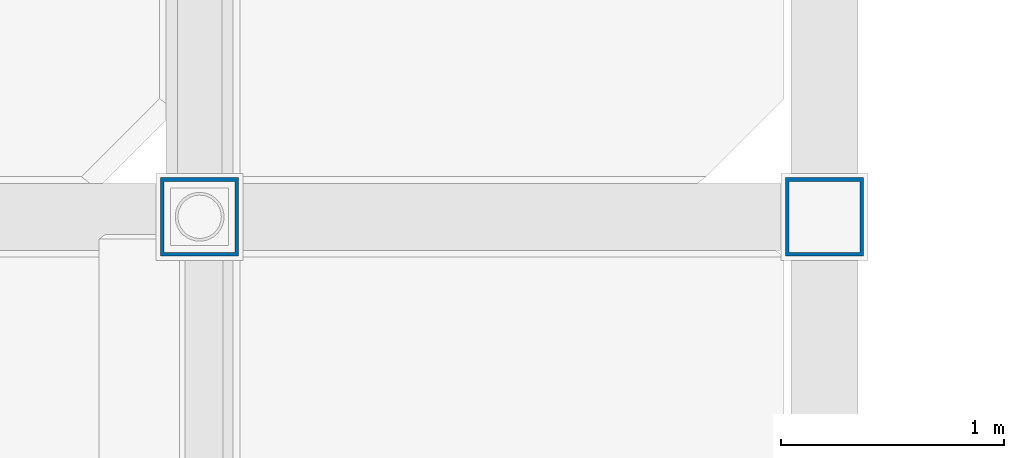
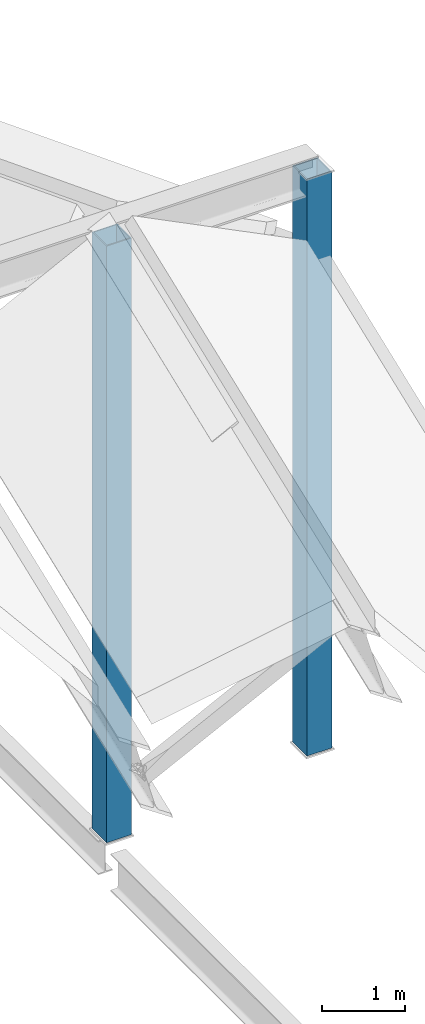
# One storey, part 2 of 49: 2 columns.
"""IFC4 building model written with IfcOpenShell, lengths in metres."""

import ifcopenshell
import ifcopenshell.guid

model = None  # the IFC model being written
_history = None  # IfcOwnerHistory: only IFC2X3 demands one
_inside = {}  # id of a spatial element -> (the spatial element, [elements in it])
_under = {}  # id of a project, library or spatial element -> (it, [spatial elements below it])
_declared = {}  # id of a project -> (the project, [libraries it declares])
_typed = {}  # id of a type object -> (the type object, [elements of that type])
_made_of = {}  # id of a material, layer set ... -> (it, [elements and type objects made of it])


def new_model(schema):
    """Start an empty IFC model of exactly this schema.

    Asked for "IFC4X3", IfcOpenShell would pick the latest addendum, in which some entities
    have other attributes; the version numbers below select the first issue.
    IFC2X3 requires an IfcOwnerHistory on every rooted entity: one is made here for all.
    """
    global model, _history
    if schema == "IFC4X3":
        model = ifcopenshell.file(schema_version=(4, 3, 0, 0))
    else:
        model = ifcopenshell.file(schema=schema)
    _inside.clear()
    _under.clear()
    _declared.clear()
    _typed.clear()
    _made_of.clear()
    _history = None
    if model.schema == "IFC2X3":
        org = make("IfcOrganization", Name="unknown")
        user = make(
            "IfcPersonAndOrganization",
            ThePerson=make("IfcPerson", FamilyName="unknown"),
            TheOrganization=org,
        )
        app = make(
            "IfcApplication",
            ApplicationDeveloper=org,
            Version="unknown",
            ApplicationFullName="unknown",
            ApplicationIdentifier="unknown",
        )
        _history = make(
            "IfcOwnerHistory",
            OwningUser=user,
            OwningApplication=app,
            ChangeAction="ADDED",
            CreationDate=0,
        )
    return model


def make(cls, **values):
    """One entity of the class cls with the attributes given. An attribute that is None is left unset."""
    return model.create_entity(
        cls, **{name: value for name, value in values.items() if value is not None}
    )


def rooted(cls, **values):
    """An entity with a GlobalId (a new one), such as an element, a storey or a relation."""
    return make(cls, GlobalId=ifcopenshell.guid.new(), OwnerHistory=_history, **values)


def si_unit(unit_type, name, prefix=None):
    """IfcSIUnit, for example si_unit("LENGTHUNIT", "METRE", prefix="MILLI")."""
    return make("IfcSIUnit", UnitType=unit_type, Prefix=prefix, Name=name)


def assignment(units):
    """IfcUnitAssignment: the units of a project."""
    return None if units is None else make("IfcUnitAssignment", Units=units)


def point(xyz):
    """IfcCartesianPoint."""
    return None if xyz is None else make("IfcCartesianPoint", Coordinates=xyz)


def direction(xyz):
    """IfcDirection."""
    return None if xyz is None else make("IfcDirection", DirectionRatios=xyz)


def frame(location, z_axis=None, x_axis=None):
    """IfcAxis2Placement3D, a coordinate frame: its origin and axes. An axis left out is left unset."""
    return make(
        "IfcAxis2Placement3D",
        Location=point(location),
        Axis=direction(z_axis),
        RefDirection=direction(x_axis),
    )


def frame_2d(location, x_axis=None):
    """IfcAxis2Placement2D, a coordinate frame in the plane: its origin and x axis."""
    return make(
        "IfcAxis2Placement2D", Location=point(location), RefDirection=direction(x_axis)
    )


def origin():
    """The frame at (0, 0, 0) with its axes left unset."""
    return frame((0.0, 0.0, 0.0))


def origin_2d():
    """The frame at (0, 0) in the plane with its x axis left unset."""
    return frame_2d((0.0, 0.0))


def place(relative_to, where):
    """IfcLocalPlacement: puts the frame where relative to a parent placement (None: the world)."""
    return make(
        "IfcLocalPlacement", PlacementRelTo=relative_to, RelativePlacement=where
    )


def context(
    kind, dimensions, precision=None, world=None, true_north=None, identifier=None
):
    """IfcGeometricRepresentationContext, for example the 3D "Model" context."""
    return make(
        "IfcGeometricRepresentationContext",
        ContextIdentifier=identifier,
        ContextType=kind,
        CoordinateSpaceDimension=dimensions,
        Precision=precision,
        WorldCoordinateSystem=world,
        TrueNorth=true_north,
    )


def subcontext(parent, identifier, kind, view, scale=None):
    """IfcGeometricRepresentationSubContext, for example "Body" below "Model"."""
    return make(
        "IfcGeometricRepresentationSubContext",
        ContextIdentifier=identifier,
        ContextType=kind,
        ParentContext=parent,
        TargetScale=scale,
        TargetView=view,
    )


def project(units=None, contexts=None):
    """IfcProject with its units and contexts."""
    return rooted(
        "IfcProject",
        Name="project",
        RepresentationContexts=contexts,
        UnitsInContext=assignment(units),
    )


def spatial(cls, under=None, at=None, **own):
    """A site, building, storey or space (cls), placed at a placement, below another one or the project."""
    s = rooted(cls, ObjectPlacement=at, **own)
    if under is not None:
        _under.setdefault(under.id(), (under, []))[1].append(s)
    return s


def profile(cls, at=None, kind="AREA", **sizes):
    """A parametric profile (cls). Its sizes go by their IFC names, for example OverallWidth=200.0."""
    return make(cls, ProfileType=kind, Position=at, **sizes)


def hollow_rectangle(**sizes):
    """IfcRectangleHollowProfileDef."""
    return profile("IfcRectangleHollowProfileDef", **sizes)


def extrude(swept, where, along, depth):
    """IfcExtrudedAreaSolid: the profile swept, set in the frame where, extruded along a direction by depth."""
    return make(
        "IfcExtrudedAreaSolid",
        SweptArea=swept,
        Position=where,
        ExtrudedDirection=direction(along),
        Depth=depth,
    )


def shape(context_of_items, identifier, shape_type, items):
    """IfcShapeRepresentation: the items that make up one representation, for example the "Body"."""
    return make(
        "IfcShapeRepresentation",
        ContextOfItems=context_of_items,
        RepresentationIdentifier=identifier,
        RepresentationType=shape_type,
        Items=items,
    )


def material(Name=None, Category=None):
    """IfcMaterial."""
    return make("IfcMaterial", Name=Name, Category=Category)


def material_profile(
    of_material, cross_section, Name=None, Category=None, Priority=None
):
    """IfcMaterialProfile: a cross section and its material."""
    return make(
        "IfcMaterialProfile",
        Name=Name,
        Material=of_material,
        Profile=cross_section,
        Priority=Priority,
        Category=Category,
    )


def profile_set(profiles, Name=None, composite=None):
    """IfcMaterialProfileSet."""
    return make(
        "IfcMaterialProfileSet",
        Name=Name,
        MaterialProfiles=profiles,
        CompositeProfile=composite,
    )


def made_of(thing, what):
    """Note that an element or type object is made of a material, layer set ...; save() writes the relation."""
    if what is not None:
        _made_of.setdefault(what.id(), (what, []))[1].append(thing)
    return thing


def type_object(cls, material=None, **own):
    """A type object (cls), such as IfcWallType, which elements share."""
    return made_of(rooted(cls, **own), material)


def element(
    cls,
    number,
    at=None,
    inside=None,
    cuts=None,
    type_object=None,
    material=None,
    context=None,
    identifier="Body",
    shape_type=None,
    held_by="IfcProductDefinitionShape",
    body=None,
    shapes=None,
    **own,
):
    """One element of the class cls, such as IfcWall. Its Tag is "e" and its number.

    at: its placement. inside: the storey or other place that contains it. cuts: it is an
    opening in that element (IfcRelVoidsElement). A single representation is given by context,
    identifier, shape_type and body (its items); several are given by shapes. held_by: the class
    of the entity that holds the representations. save() writes the other relations.
    """
    e = rooted(cls, Tag="e%d" % number, ObjectPlacement=at, **own)
    if body is not None:
        shapes = [shape(context, identifier, shape_type, body)]
    if shapes is not None:
        e.Representation = make(held_by, Representations=shapes)
    if inside is not None:
        _inside.setdefault(inside.id(), (inside, []))[1].append(e)
    if cuts is not None:
        rooted(
            "IfcRelVoidsElement", RelatingBuildingElement=cuts, RelatedOpeningElement=e
        )
    if type_object is not None:
        _typed.setdefault(type_object.id(), (type_object, []))[1].append(e)
    return made_of(e, material)


def aggregate(whole, parts):
    """IfcRelAggregates: a whole, such as a stair, and the parts it consists of."""
    return rooted("IfcRelAggregates", RelatingObject=whole, RelatedObjects=parts)


def save(model, path):
    """Write the relations noted so far, then the file.

    IfcRelAggregates (storeys below a building ...), IfcRelContainedInSpatialStructure (elements
    in a storey), IfcRelDefinesByType, IfcRelAssociatesMaterial and IfcRelDeclares: one each for
    every whole, place, type object, material and project.
    """
    for whole, parts in _under.values():
        aggregate(whole, parts)
    for where, things in _inside.values():
        rooted(
            "IfcRelContainedInSpatialStructure",
            RelatedElements=things,
            RelatingStructure=where,
        )
    for kind, things in _typed.values():
        rooted("IfcRelDefinesByType", RelatedObjects=things, RelatingType=kind)
    for what, things in _made_of.values():
        rooted("IfcRelAssociatesMaterial", RelatedObjects=things, RelatingMaterial=what)
    for by, libraries in _declared.values():
        rooted("IfcRelDeclares", RelatingContext=by, RelatedDefinitions=libraries)
    model.write(path)


model = new_model("IFC4")

# Units and contexts
model_context = context("Model", 3, precision=1e-05, world=origin(), true_north=direction((0.0, 1.0)))
body_context = subcontext(model_context, "Body", "Model", "MODEL_VIEW")
ifc_project = project(units=[si_unit("LENGTHUNIT", "METRE"), si_unit("AREAUNIT", "SQUARE_METRE"), si_unit("VOLUMEUNIT", "CUBIC_METRE"), si_unit("PLANEANGLEUNIT", "RADIAN"), si_unit("MASSUNIT", "GRAM", prefix="KILO")], contexts=[model_context])

# Site, building, storey
site_placement = place(None, origin())
site = spatial("IfcSite", under=ifc_project, at=site_placement, CompositionType="ELEMENT")
building_placement = place(site_placement, origin())
building = spatial("IfcBuilding", under=site, at=building_placement, Name="Vinh Khe Railworks Police Headquarters", CompositionType="ELEMENT")
storey_placement = place(building_placement, frame((0.0, 0.0, 17.10009765625)))
storey = spatial("IfcBuildingStorey", under=building, at=storey_placement, Name="L04", CompositionType="ELEMENT", Elevation=17.10009765625)

# Columns
ifc_material = material(Name="Steel S355JR", Category="steel")
ifc_material_profile = material_profile(ifc_material, hollow_rectangle(XDim=0.35009765625, YDim=0.35009765625, WallThickness=0.01611328125, at=origin_2d()), Name="SHS 350x350x16")
ifc_profile_set = profile_set([ifc_material_profile], Name="Steel S355JR")
column_type = type_object("IfcColumnType", Name="Steel Column SHS 350x350x16", PredefinedType="COLUMN", material=ifc_profile_set)
column_1_placement = place(storey_placement, frame((62.800048828125, 42.0, 0.2998046875), z_axis=(0.0, 0.0, 1.0), x_axis=(1.0, 0.0, 0.0)))
element("IfcColumn", 1, at=column_1_placement, inside=storey, type_object=column_type, Name="Folded Roof Gable Post 62.8", PredefinedType="COLUMN", context=body_context, shape_type="SweptSolid", body=[
    extrude(hollow_rectangle(XDim=0.35009765625, YDim=0.35009765625, WallThickness=0.01611328125, at=origin_2d()), origin(), (0.0, 0.0, 1.0), 8.509033203125),
])
column_2_placement = place(storey_placement, frame((60.0, 42.0, 0.0), z_axis=(0.0, 0.0, 1.0), x_axis=(1.0, 0.0, 0.0)))
element("IfcColumn", 2, at=column_2_placement, inside=storey, type_object=column_type, Name="Folded Roof Interior Spine Post 60.0", PredefinedType="COLUMN", context=body_context, shape_type="SweptSolid", body=[
    extrude(hollow_rectangle(XDim=0.35009765625, YDim=0.35009765625, WallThickness=0.01611328125, at=origin_2d()), origin(), (0.0, 0.0, 1.0), 8.808837890625),
])

save(model, "model.ifc")
